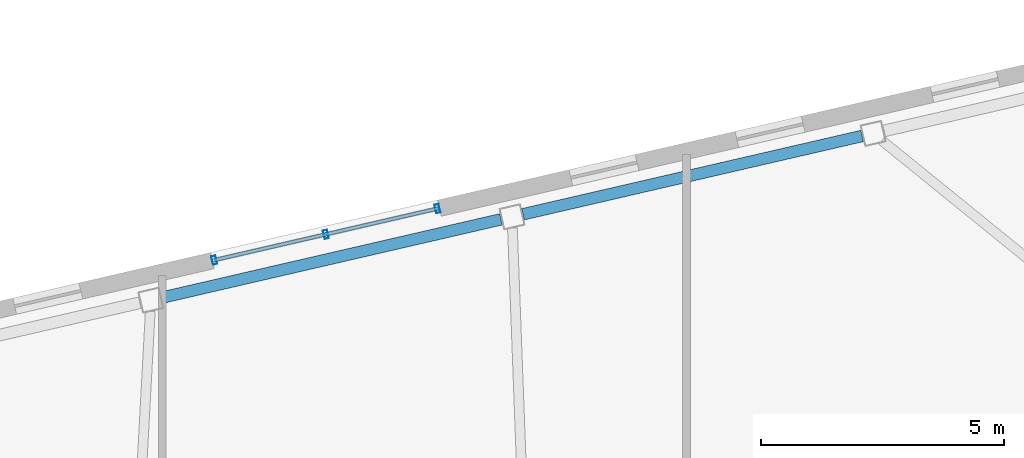
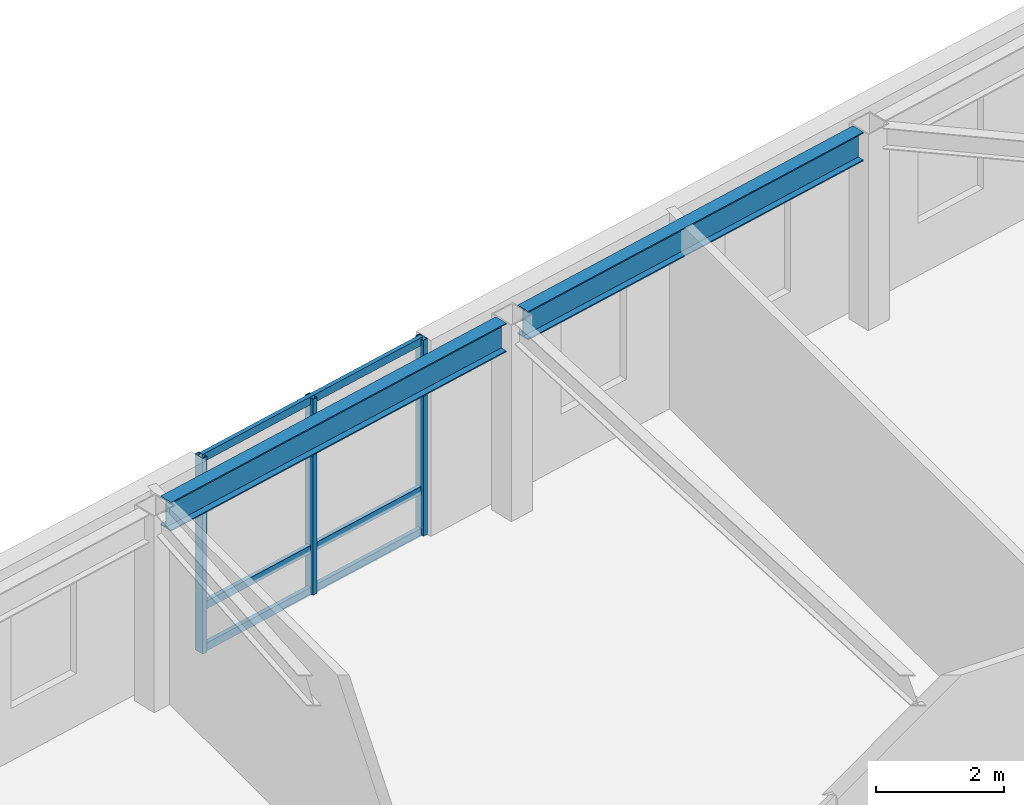
# One storey, part 14 of 23: 6 members, 2 beams, 1 element without a shape of its own.
"""IFC4 building model written with IfcOpenShell, lengths in metres."""

from ifc_helpers import new_model, si_unit, direction, frame, origin, origin_2d, place, context, subcontext, project, spatial, hollow_rectangle, i_section, extrude, material, layer, layer_set, material_profile, profile_set, type_object, element, aggregate, save


model = new_model("IFC4")

# Units and contexts
model_context = context("Model", 3, precision=1e-05, world=origin(), true_north=direction((0.0, 1.0)))
body_context = subcontext(model_context, "Body", "Model", "MODEL_VIEW")
ifc_project = project(units=[si_unit("LENGTHUNIT", "METRE"), si_unit("AREAUNIT", "SQUARE_METRE"), si_unit("VOLUMEUNIT", "CUBIC_METRE"), si_unit("PLANEANGLEUNIT", "RADIAN"), si_unit("MASSUNIT", "GRAM", prefix="KILO")], contexts=[model_context])

# Site, building, storey
site_placement = place(None, origin())
site = spatial("IfcSite", under=ifc_project, at=site_placement, CompositionType="ELEMENT")
building_placement = place(site_placement, origin())
building = spatial("IfcBuilding", under=site, at=building_placement, Name="Tavrogorsk Clinical Tower", CompositionType="ELEMENT")
storey_placement = place(building_placement, frame((0.0, 0.0, 293.0)))
storey = spatial("IfcBuildingStorey", under=building, at=storey_placement, Name="L68", CompositionType="ELEMENT", Elevation=293.0)

# Curtain wall, members
ifc_material_1 = material(Name="Anodised aluminium and triple IGU glazing", Category="aluminium")
ifc_layer = layer(ifc_material_1, 0.179931640625)
ifc_layer_set = layer_set([ifc_layer], Name="Anodised aluminium and triple IGU glazing")
curtain_wall_type = type_object("IfcCurtainWallType", Name="CW2_NorthSlot", PredefinedType="NOTDEFINED", material=ifc_layer_set)
curtain_wall_placement = place(storey_placement, origin())
curtain_wall = element("IfcCurtainWall", 1, at=curtain_wall_placement, inside=storey, type_object=curtain_wall_type, Name="L68 Curtain Wall CW-L68-N-SLOT-2", PredefinedType="NOTDEFINED")
ifc_material_2 = material(Name="Anodised aluminium alloy AW-6060", Category="aluminium")
ifc_material_profile_1 = material_profile(ifc_material_2, hollow_rectangle(XDim=0.090087890625, YDim=0.179931640625, WallThickness=0.00634765625, at=origin_2d()), Name="RHS-180x90x6.3")
ifc_profile_set_1 = profile_set([ifc_material_profile_1], Name="Anodised aluminium alloy AW-6060")
member_type_1 = type_object("IfcMemberType", Name="CwMullion_180x90", PredefinedType="MULLION", material=ifc_profile_set_1)
member_1_placement = place(storey_placement, frame((2.26904296875, 22.400634765625, 0.0), z_axis=(0.0, 0.0, 1.0), x_axis=(-0.974370092441, -0.224950934554, 0.0)))
member_1 = element("IfcMember", 2, at=member_1_placement, type_object=member_type_1, Name="CW-L68-N-SLOT-2 Mullion 1", PredefinedType="MULLION", context=body_context, shape_type="SweptSolid", body=[
    extrude(hollow_rectangle(XDim=0.090087890625, YDim=0.179931640625, WallThickness=0.00634765625, at=origin_2d()), origin(), (0.0, 0.0, 1.0), 3.739990234375),
])
member_2_placement = place(storey_placement, frame((-0.029541015625, 21.869873046875, 0.0), z_axis=(0.0, 0.0, 1.0), x_axis=(-0.974370092441, -0.224950934554, 0.0)))
member_2 = element("IfcMember", 3, at=member_2_placement, type_object=member_type_1, Name="CW-L68-N-SLOT-2 Mullion 2", PredefinedType="MULLION", context=body_context, shape_type="SweptSolid", body=[
    extrude(hollow_rectangle(XDim=0.090087890625, YDim=0.179931640625, WallThickness=0.00634765625, at=origin_2d()), origin(), (0.0, 0.0, 1.0), 3.739990234375),
])
member_3_placement = place(storey_placement, frame((-2.328125, 21.339111328125, 0.0), z_axis=(0.0, 0.0, 1.0), x_axis=(-0.974370092441, -0.224950934554, 0.0)))
member_3 = element("IfcMember", 4, at=member_3_placement, type_object=member_type_1, Name="CW-L68-N-SLOT-2 Mullion 3", PredefinedType="MULLION", context=body_context, shape_type="SweptSolid", body=[
    extrude(hollow_rectangle(XDim=0.090087890625, YDim=0.179931640625, WallThickness=0.00634765625, at=origin_2d()), origin(), (0.0, 0.0, 1.0), 3.739990234375),
])
ifc_material_3 = material(Name="Anodised aluminium alloy AW-6060", Category="aluminium")
ifc_material_profile_2 = material_profile(ifc_material_3, hollow_rectangle(XDim=0.074951171875, YDim=0.14990234375, WallThickness=0.0048828125, at=origin_2d()), Name="RHS-150x75x5")
ifc_profile_set_2 = profile_set([ifc_material_profile_2], Name="Anodised aluminium alloy AW-6060")
member_type_2 = type_object("IfcMemberType", Name="CwTransom_150x75", PredefinedType="USERDEFINED", material=ifc_profile_set_2)
member_4_placement = place(storey_placement, frame((2.26904296875, 22.400634765625, 0.050048828125), z_axis=(-0.974361535497, -0.224987995557, 0.0), x_axis=(0.224987995557, -0.974361535497, 0.0)))
member_4 = element("IfcMember", 5, at=member_4_placement, type_object=member_type_2, Name="CW-L68-N-SLOT-2 Transom 1", ObjectType="TRANSOM", PredefinedType="USERDEFINED", context=body_context, shape_type="SweptSolid", body=[
    extrude(hollow_rectangle(XDim=0.074951171875, YDim=0.14990234375, WallThickness=0.0048828125, at=origin_2d()), origin(), (0.0, 0.0, 1.0), 4.718017578125),
])
member_5_placement = place(storey_placement, frame((2.26904296875, 22.400634765625, 0.85009765625), z_axis=(-0.974361535497, -0.224987995557, 0.0), x_axis=(0.224987995557, -0.974361535497, 0.0)))
member_5 = element("IfcMember", 6, at=member_5_placement, type_object=member_type_2, Name="CW-L68-N-SLOT-2 Transom 2", ObjectType="TRANSOM", PredefinedType="USERDEFINED", context=body_context, shape_type="SweptSolid", body=[
    extrude(hollow_rectangle(XDim=0.074951171875, YDim=0.14990234375, WallThickness=0.0048828125, at=origin_2d()), origin(), (0.0, 0.0, 1.0), 4.718017578125),
])
member_6_placement = place(storey_placement, frame((2.26904296875, 22.400634765625, 3.68994140625), z_axis=(-0.974361535497, -0.224987995557, 0.0), x_axis=(0.224987995557, -0.974361535497, 0.0)))
member_6 = element("IfcMember", 7, at=member_6_placement, type_object=member_type_2, Name="CW-L68-N-SLOT-2 Transom 3", ObjectType="TRANSOM", PredefinedType="USERDEFINED", context=body_context, shape_type="SweptSolid", body=[
    extrude(hollow_rectangle(XDim=0.074951171875, YDim=0.14990234375, WallThickness=0.0048828125, at=origin_2d()), origin(), (0.0, 0.0, 1.0), 4.718017578125),
])
aggregate(curtain_wall, [member_1, member_2, member_3, member_4, member_5, member_6])

# Beams
ifc_material_4 = material(Name="Structural steel S390", Category="steel")
ifc_material_profile_3 = material_profile(ifc_material_4, i_section(OverallWidth=0.239990234375, OverallDepth=0.550048828125, WebThickness=0.013916015625, FlangeThickness=0.02197265625, at=origin_2d()), Name="B-550x240x14x22")
ifc_profile_set_3 = profile_set([ifc_material_profile_3], Name="Structural steel S390")
beam_type = type_object("IfcBeamType", Name="SpandrelBeam_B550", PredefinedType="SPANDREL", material=ifc_profile_set_3)
for number, where, z_axis, x_axis, name in (
    (8, (11.01611328125, 23.896484375, 3.465087890625), (-0.974369378592, -0.224954026551, 0.0), (0.224954026551, -0.974369378592, 0.0), "L68 Perimeter Spandrel N2-N3"),
    (9, (3.577392578125, 22.17919921875, 3.465087890625), (-0.974369378592, -0.224954026551, 0.0), (0.224954026551, -0.974369378592, 0.0), "L68 Perimeter Spandrel N3-N4"),
):
    element("IfcBeam", number, at=place(storey_placement, frame(where, z_axis=z_axis, x_axis=x_axis)), inside=storey, type_object=beam_type, Name=name, PredefinedType="SPANDREL", context=body_context, shape_type="SweptSolid", body=[
        extrude(i_section(OverallWidth=0.239990234375, OverallDepth=0.550048828125, WebThickness=0.013916015625, FlangeThickness=0.02197265625, at=origin_2d()), origin(), (0.0, 0.0, 1.0), 7.16845703125),
    ])

save(model, "model.ifc")
